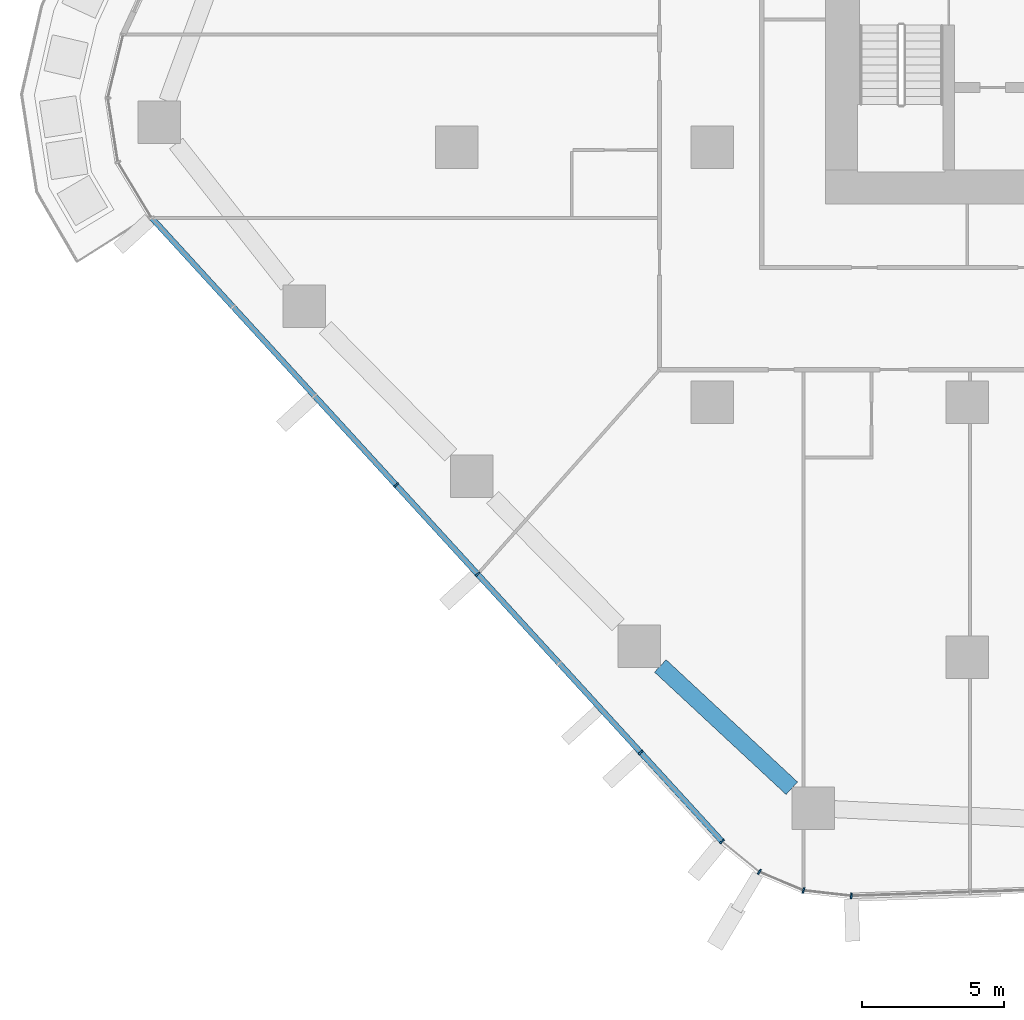
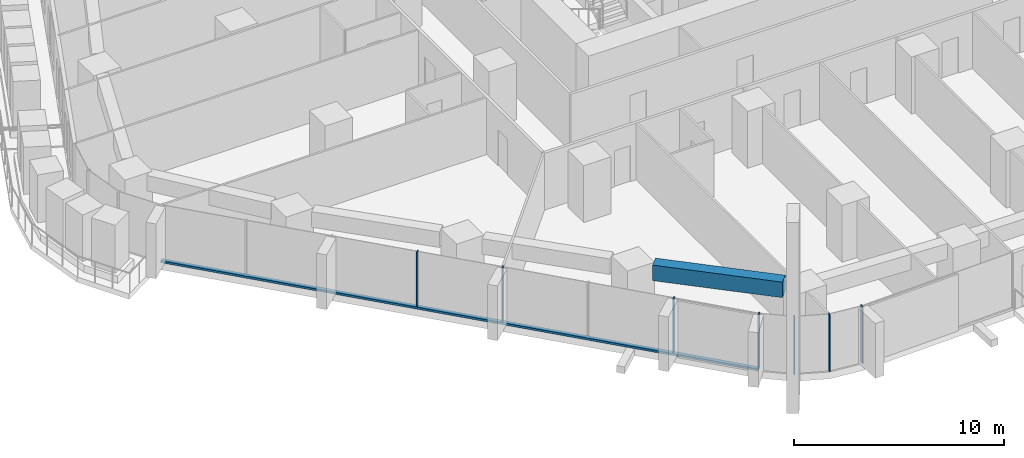
# One storey, part 2 of 27: 8 members, 1 beam, 2 elements without a shape of their own.
"""IFC4 building model written with IfcOpenShell, lengths in metres."""

from ifc_helpers import new_model, si_unit, direction, frame, origin, origin_2d, place, context, subcontext, project, spatial, rectangle, extrude, material, layer, layer_set, material_profile, profile_set, type_object, element, aggregate, save


model = new_model("IFC4")

# Units and contexts
model_context = context("Model", 3, precision=1e-05, world=origin(), true_north=direction((0.0, 1.0)))
body_context = subcontext(model_context, "Body", "Model", "MODEL_VIEW")
ifc_project = project(units=[si_unit("LENGTHUNIT", "METRE"), si_unit("AREAUNIT", "SQUARE_METRE"), si_unit("VOLUMEUNIT", "CUBIC_METRE"), si_unit("PLANEANGLEUNIT", "RADIAN"), si_unit("MASSUNIT", "GRAM", prefix="KILO")], contexts=[model_context])

# Site, building, storey
site_placement = place(None, origin())
site = spatial("IfcSite", under=ifc_project, at=site_placement, CompositionType="ELEMENT")
building_placement = place(site_placement, origin())
building = spatial("IfcBuilding", under=site, at=building_placement, Name="Dongbaek Canopy Tower", CompositionType="ELEMENT")
storey_placement = place(building_placement, frame((0.0, 0.0, 55.10009765625)))
storey = spatial("IfcBuildingStorey", under=building, at=storey_placement, Name="L09", CompositionType="ELEMENT", Elevation=55.10009765625)

# Curtain wall, members
ifc_material_1 = material(Name="Aluminium 6063-T6 pale anodised", Category="aluminium")
ifc_layer = layer(ifc_material_1, 0.199951171875)
ifc_layer_set = layer_set([ifc_layer], Name="CW-1 unitised tower curtain wall")
curtain_wall_type = type_object("IfcCurtainWallType", Name="CW-1 unitised tower curtain wall", PredefinedType="NOTDEFINED", material=ifc_layer_set)
curtain_wall_1_placement = place(storey_placement, origin())
curtain_wall_1 = element("IfcCurtainWall", 1, at=curtain_wall_1_placement, inside=storey, type_object=curtain_wall_type, Name="CW-1 curtain wall F3.1", PredefinedType="NOTDEFINED")
ifc_material_2 = material(Name="Aluminium 6063-T6 pale anodised", Category="aluminium")
ifc_material_profile_1 = material_profile(ifc_material_2, rectangle(XDim=0.199951171875, YDim=0.06005859375, at=origin_2d()), Name="CW-1 mullion 60 x 200")
ifc_profile_set_1 = profile_set([ifc_material_profile_1], Name="Aluminium 6063-T6 pale anodised")
member_type_1 = type_object("IfcMemberType", Name="CW-1 mullion 60 x 200", PredefinedType="MULLION", material=ifc_profile_set_1)
member_1_placement = place(storey_placement, frame((-29.142578125, -20.921142578125, 0.119873046875), z_axis=(0.0, 0.0, 1.0), x_axis=(-0.737854848702, -0.674959422667, 0.0)))
member_1 = element("IfcMember", 2, at=member_1_placement, type_object=member_type_1, Name="CW-1 mullion F3.1.4", PredefinedType="MULLION", context=body_context, shape_type="SweptSolid", body=[
    extrude(rectangle(XDim=0.199951171875, YDim=0.06005859375, at=origin_2d()), origin(), (0.0, 0.0, 1.0), 3.179931640625),
])
member_2_placement = place(storey_placement, frame((-26.266845703125, -24.064697265625, 0.119873046875), z_axis=(0.0, 0.0, 1.0), x_axis=(-0.737854848702, -0.674959422667, 0.0)))
member_2 = element("IfcMember", 3, at=member_2_placement, type_object=member_type_1, Name="CW-1 mullion F3.1.5", PredefinedType="MULLION", context=body_context, shape_type="SweptSolid", body=[
    extrude(rectangle(XDim=0.199951171875, YDim=0.06005859375, at=origin_2d()), origin(), (0.0, 0.0, 1.0), 3.179931640625),
])
member_3_placement = place(storey_placement, frame((-20.515625, -30.35205078125, 0.119873046875), z_axis=(0.0, 0.0, 1.0), x_axis=(-0.737854848702, -0.674959422667, 0.0)))
member_3 = element("IfcMember", 4, at=member_3_placement, type_object=member_type_1, Name="CW-1 mullion F3.1.7", PredefinedType="MULLION", context=body_context, shape_type="SweptSolid", body=[
    extrude(rectangle(XDim=0.199951171875, YDim=0.06005859375, at=origin_2d()), origin(), (0.0, 0.0, 1.0), 3.179931640625),
])
member_4_placement = place(storey_placement, frame((-17.644775390625, -33.490234375, 0.119873046875), z_axis=(0.0, 0.0, 1.0), x_axis=(-0.737854848702, -0.674959422667, 0.0)))
member_4 = element("IfcMember", 5, at=member_4_placement, type_object=member_type_1, Name="CW-1 mullion F3.1.8", PredefinedType="MULLION", context=body_context, shape_type="SweptSolid", body=[
    extrude(rectangle(XDim=0.199951171875, YDim=0.06005859375, at=origin_2d()), origin(), (0.0, 0.0, 1.0), 3.179931640625),
])

curtain_wall_2_placement = place(storey_placement, origin())
curtain_wall_2 = element("IfcCurtainWall", 6, at=curtain_wall_2_placement, inside=storey, type_object=curtain_wall_type, Name="CW-1 curtain wall K4.1", PredefinedType="NOTDEFINED")
member_5_placement = place(storey_placement, frame((-16.33154296875, -34.565673828125, 0.0), z_axis=(0.0, 0.0, 1.0), x_axis=(-0.516170697464, -0.856485733144, 0.0)))
member_5 = element("IfcMember", 7, at=member_5_placement, type_object=member_type_1, Name="CW-1 mullion K4.1.2", PredefinedType="MULLION", context=body_context, shape_type="SweptSolid", body=[
    extrude(rectangle(XDim=0.199951171875, YDim=0.06005859375, at=origin_2d()), origin(), (0.0, 0.0, 1.0), 3.2998046875),
])
member_6_placement = place(storey_placement, frame((-14.77392578125, -35.2216796875, 0.0), z_axis=(0.0, 0.0, 1.0), x_axis=(-0.25211116994, -0.967698278386, 0.0)))
member_6 = element("IfcMember", 8, at=member_6_placement, type_object=member_type_1, Name="CW-1 mullion K4.1.3", PredefinedType="MULLION", context=body_context, shape_type="SweptSolid", body=[
    extrude(rectangle(XDim=0.199951171875, YDim=0.06005859375, at=origin_2d()), origin(), (0.0, 0.0, 1.0), 3.2998046875),
])
member_7_placement = place(storey_placement, frame((-13.0869140625, -35.409912109375, 0.0), z_axis=(0.0, 0.0, 1.0), x_axis=(-0.110876497913, -0.993834192514, 0.0)))
member_7 = element("IfcMember", 9, at=member_7_placement, type_object=member_type_1, Name="CW-1 mullion K4.1.4", PredefinedType="MULLION", context=body_context, shape_type="SweptSolid", body=[
    extrude(rectangle(XDim=0.199951171875, YDim=0.06005859375, at=origin_2d()), origin(), (0.0, 0.0, 1.0), 3.2998046875),
])
aggregate(curtain_wall_2, [member_5, member_6, member_7])

# Member
ifc_material_3 = material(Name="Aluminium 6063-T6 pale anodised", Category="aluminium")
ifc_material_profile_2 = material_profile(ifc_material_3, rectangle(XDim=0.199951171875, YDim=0.1201171875, at=origin_2d()), Name="CW-1 transom 120 x 200")
ifc_profile_set_2 = profile_set([ifc_material_profile_2], Name="Aluminium 6063-T6 pale anodised")
member_type_2 = type_object("IfcMemberType", Name="CW-1 transom 120 x 200", PredefinedType="USERDEFINED", material=ifc_profile_set_2)
member_8_placement = place(storey_placement, frame((-37.762939453125, -11.49755859375, 0.059814453125), z_axis=(0.674962421781, -0.737852105224, 0.0), x_axis=(0.737852105224, 0.674962421781, 0.0)))
member_8 = element("IfcMember", 10, at=member_8_placement, type_object=member_type_2, Name="CW-1 transom F3.1.1", ObjectType="TRANSOM", PredefinedType="USERDEFINED", context=body_context, shape_type="SweptSolid", body=[
    extrude(rectangle(XDim=0.199951171875, YDim=0.1201171875, at=origin_2d()), origin(), (0.0, 0.0, 1.0), 29.806396484375),
])

aggregate(curtain_wall_1, [member_1, member_2, member_3, member_4, member_8])

# Beam
ifc_material_4 = material(Name="Concrete C80", Category="concrete")
ifc_material_profile_3 = material_profile(ifc_material_4, rectangle(XDim=0.60009765625, YDim=0.89990234375, at=origin_2d()), Name="RC EDGE BEAM 600x900 C80")
ifc_profile_set_3 = profile_set([ifc_material_profile_3], Name="Concrete C80")
beam_type = type_object("IfcBeamType", Name="RC EDGE BEAM 600x900 C80", PredefinedType="BEAM", material=ifc_profile_set_3)
beam_placement = place(storey_placement, frame((-15.18408203125, -31.615478515625, 2.849853515625), z_axis=(-0.732207291567, 0.681081846899, 0.0), x_axis=(-0.681081846899, -0.732207291567, 0.0)))
element("IfcBeam", 11, at=beam_placement, inside=storey, type_object=beam_type, Name="EDGEBEAM:L09:04", PredefinedType="BEAM", context=body_context, shape_type="SweptSolid", body=[
    extrude(rectangle(XDim=0.60009765625, YDim=0.89990234375, at=origin_2d()), origin(), (0.0, 0.0, 1.0), 6.3369140625),
])

save(model, "model.ifc")
